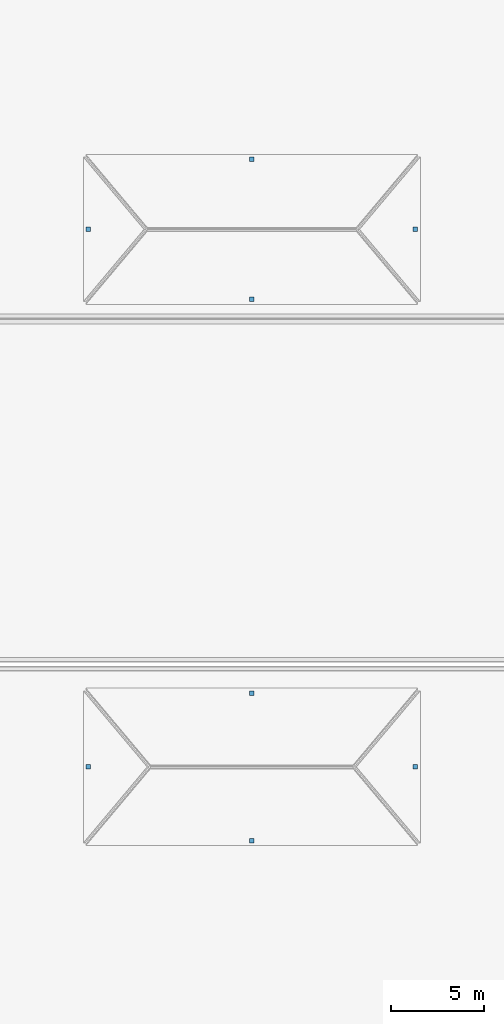
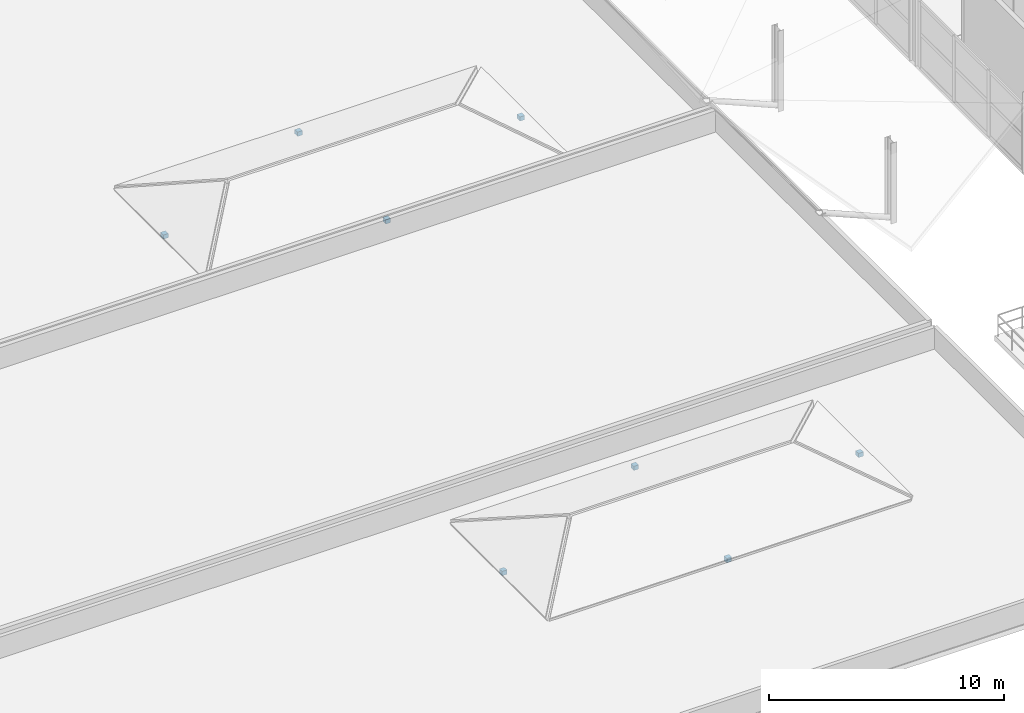
# One storey, part 56 of 81: 8 discrete accessories.
"""IFC4 building model written with IfcOpenShell, lengths in metres."""

from ifc_helpers import new_model, si_unit, direction, frame, origin, origin_2d, place, context, subcontext, project, spatial, rectangle, extrude, material, type_object, element, save


model = new_model("IFC4")

# Units and contexts
model_context = context("Model", 3, precision=1e-05, world=origin(), true_north=direction((0.0, 1.0)))
body_context = subcontext(model_context, "Body", "Model", "MODEL_VIEW")
ifc_project = project(units=[si_unit("LENGTHUNIT", "METRE"), si_unit("AREAUNIT", "SQUARE_METRE"), si_unit("VOLUMEUNIT", "CUBIC_METRE"), si_unit("PLANEANGLEUNIT", "RADIAN"), si_unit("MASSUNIT", "GRAM", prefix="KILO")], contexts=[model_context])

# Site, building, storey
site_placement = place(None, origin())
site = spatial("IfcSite", under=ifc_project, at=site_placement, CompositionType="ELEMENT")
building_placement = place(site_placement, origin())
building = spatial("IfcBuilding", under=site, at=building_placement, Name="Myrtia Square Station", CompositionType="ELEMENT")
storey_placement = place(building_placement, frame((0.0, 0.0, 10.800048828125)))
storey = spatial("IfcBuildingStorey", under=building, at=storey_placement, Name="L02", CompositionType="ELEMENT", Elevation=10.800048828125)

# Discrete accessories
ifc_material = material(Name="Steel S355", Category="steel")
discrete_accessory_type = type_object("IfcDiscreteAccessoryType", Name="ACC-HIP-SHOE", PredefinedType="BRACKET", material=ifc_material)
for number, where, z_axis, x_axis, name in (
    (1, (54.0, 10.449951171875, -0.0302734375), (0.0, 0.0, 1.0), (1.0, 0.0, 0.0), "Hipped roof eave shoe bracket MON-V1-1-S"),
    (2, (54.0, 18.35009765625, -0.0302734375), (0.0, 0.0, 1.0), (1.0, 0.0, 0.0), "Hipped roof eave shoe bracket MON-V1-1-N"),
    (3, (45.25, 14.39990234375, -0.0302734375), (0.0, 0.0, 1.0), (1.0, 0.0, 0.0), "Hipped roof eave shoe bracket MON-V1-1-W"),
    (4, (62.75, 14.39990234375, -0.0302734375), (0.0, 0.0, 1.0), (1.0, 0.0, 0.0), "Hipped roof eave shoe bracket MON-V1-1-E"),
    (5, (54.0, 39.449951171875, -0.0302734375), (0.0, 0.0, 1.0), (1.0, 0.0, 0.0), "Hipped roof eave shoe bracket MON-V1-2-S"),
    (6, (54.0, 46.949951171875, -0.0302734375), (0.0, 0.0, 1.0), (1.0, 0.0, 0.0), "Hipped roof eave shoe bracket MON-V1-2-N"),
    (7, (45.25, 43.199951171875, -0.0302734375), (0.0, 0.0, 1.0), (1.0, 0.0, 0.0), "Hipped roof eave shoe bracket MON-V1-2-W"),
    (8, (62.75, 43.199951171875, -0.0302734375), (0.0, 0.0, 1.0), (1.0, 0.0, 0.0), "Hipped roof eave shoe bracket MON-V1-2-E"),
):
    element("IfcDiscreteAccessory", number, at=place(storey_placement, frame(where, z_axis=z_axis, x_axis=x_axis)), inside=storey, type_object=discrete_accessory_type, Name=name, PredefinedType="BRACKET", context=body_context, shape_type="SweptSolid", body=[
        extrude(rectangle(XDim=0.239990234375, YDim=0.239990234375, at=origin_2d()), origin(), (0.0, 0.0, 1.0), 0.219970703125),
    ])

save(model, "model.ifc")
